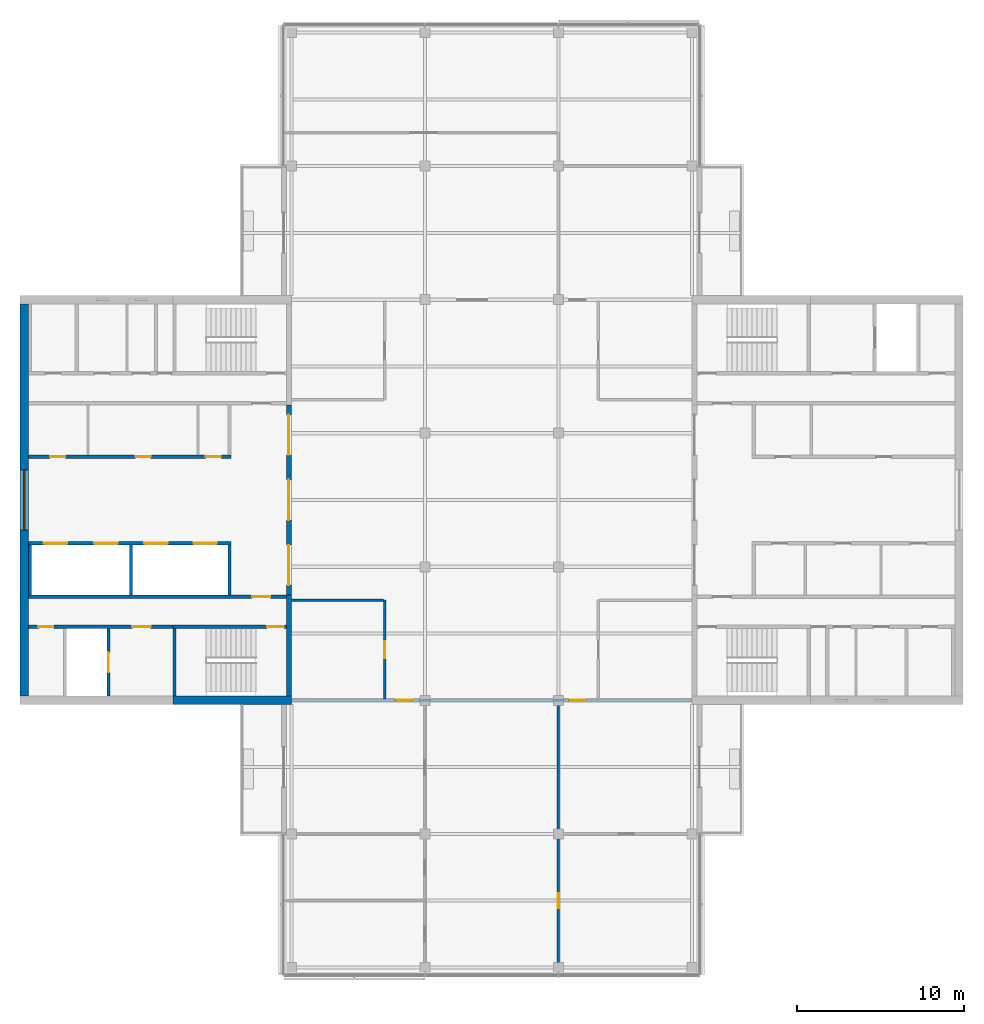
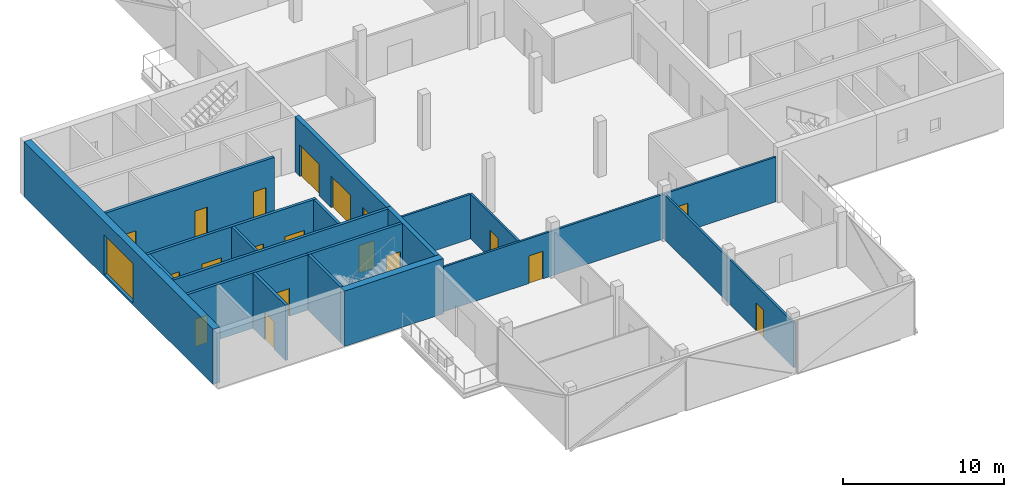
# One storey, part 5 of 11: 19 doors, 18 walls, 1 window, 20 openings.
"""IFC4 building model written with IfcOpenShell, lengths in metres."""

from ifc_helpers import new_model, si_unit, direction, frame, frame_2d, origin, place, context, subcontext, project, spatial, rectangle, extrude, material, layer, layer_set, constituent, constituent_set, type_object, element, fill, save


model = new_model("IFC4")

# Units and contexts
model_context = context("Model", 3, precision=1e-05, world=origin(), true_north=direction((0.0, 1.0)))
body_context = subcontext(model_context, "Body", "Model", "MODEL_VIEW")
ifc_project = project(units=[si_unit("LENGTHUNIT", "METRE"), si_unit("AREAUNIT", "SQUARE_METRE"), si_unit("VOLUMEUNIT", "CUBIC_METRE"), si_unit("PLANEANGLEUNIT", "RADIAN"), si_unit("MASSUNIT", "GRAM", prefix="KILO")], contexts=[model_context])

# Site, building, storey
site_placement = place(None, origin())
site = spatial("IfcSite", under=ifc_project, at=site_placement, CompositionType="ELEMENT")
building_placement = place(site_placement, origin())
building = spatial("IfcBuilding", under=site, at=building_placement, Name="Crosswind Convention Tower", CompositionType="ELEMENT")
storey_placement = place(building_placement, frame((0.0, 0.0, 344.89990234375)))
storey = spatial("IfcBuildingStorey", under=building, at=storey_placement, Name="L75", CompositionType="ELEMENT", Elevation=344.89990234375)

# Wall, openings, doors
ifc_material_1 = material(Name="Concrete C50/60", Category="concrete")
ifc_layer_1 = layer(ifc_material_1, 0.300048828125)
ifc_layer_set_1 = layer_set([ifc_layer_1], Name="Concrete C50/60")
wall_type_1 = type_object("IfcWallType", Name="Concrete inner core wall 300", PredefinedType="SHEAR", material=ifc_layer_set_1)
wall_1_placement = place(storey_placement, frame((112.85009765625, 105.699951171875, 0.0), z_axis=(0.0, 0.0, 1.0), x_axis=(0.0, -1.0, 0.0)))
wall_1 = element("IfcWall", 1, at=wall_1_placement, inside=storey, type_object=wall_type_1, Name="Wall SCR W L75", PredefinedType="SHEAR", context=body_context, shape_type="SweptSolid", body=[
    extrude(rectangle(XDim=11.39990234375, YDim=0.300048828125, at=frame_2d((5.699951171875, 0.0))), origin(), (0.0, 0.0, 1.0), 4.2001953125),
])
opening_1_placement = place(wall_1_placement, frame((0.60009765625, 0.0, 0.0)))
opening_1 = element("IfcOpeningElement", 2, at=opening_1_placement, cuts=wall_1, Name="Opening D100", PredefinedType="OPENING", context=body_context, shape_type="SweptSolid", body=[
    extrude(rectangle(XDim=2.39990234375, YDim=2.39990234375, at=frame_2d((1.199951171875, 1.199951171875))), frame((0.0, 0.159912109375, 0.0), z_axis=(0.0, -1.0, 0.0), x_axis=(1.0, 0.0, 0.0)), (0.0, 0.0, 1.0), 0.320068359375),
])
opening_2_placement = place(wall_1_placement, frame((4.5, 0.0, 0.0)))
opening_2 = element("IfcOpeningElement", 3, at=opening_2_placement, cuts=wall_1, Name="Opening D100", PredefinedType="OPENING", context=body_context, shape_type="SweptSolid", body=[
    extrude(rectangle(XDim=2.39990234375, YDim=2.39990234375, at=frame_2d((1.199951171875, 1.199951171875))), frame((0.0, 0.159912109375, 0.0), z_axis=(0.0, -1.0, 0.0), x_axis=(1.0, 0.0, 0.0)), (0.0, 0.0, 1.0), 0.320068359375),
])
opening_3_placement = place(wall_1_placement, frame((8.39990234375, 0.0, 0.0)))
opening_3 = element("IfcOpeningElement", 4, at=opening_3_placement, cuts=wall_1, Name="Opening D100", PredefinedType="OPENING", context=body_context, shape_type="SweptSolid", body=[
    extrude(rectangle(XDim=2.39990234375, YDim=2.39990234375, at=frame_2d((1.199951171875, 1.199951171875))), frame((0.0, 0.159912109375, 0.0), z_axis=(0.0, -1.0, 0.0), x_axis=(1.0, 0.0, 0.0)), (0.0, 0.0, 1.0), 0.320068359375),
])
ifc_material_2 = material(Name="Steel fire door with glazed vision panels", Category="steel")
door_type_1 = type_object("IfcDoorType", Name="Fire-rated double door 2400x2400", OperationType="DOUBLE_DOOR_SINGLE_SWING", PredefinedType="DOOR", material=ifc_material_2)
door_1_placement = place(opening_1_placement, origin())
door_1 = element("IfcDoor", 5, at=door_1_placement, inside=storey, type_object=door_type_1, Name="Lobby door 1 L75", ObjectType="D100", OperationType="DOUBLE_DOOR_SINGLE_SWING", OverallHeight=2.39990234375, OverallWidth=2.39990234375, PredefinedType="DOOR", context=body_context, shape_type="SweptSolid", body=[
    extrude(rectangle(XDim=2.39990234375, YDim=2.39990234375, at=frame_2d((1.199951171875, 1.199951171875))), frame((0.0, 0.02490234375, 0.0), z_axis=(0.0, -1.0, 0.0), x_axis=(1.0, 0.0, 0.0)), (0.0, 0.0, 1.0), 0.050048828125),
])
fill(opening_1, door_1)
door_2_placement = place(opening_2_placement, origin())
door_2 = element("IfcDoor", 6, at=door_2_placement, inside=storey, type_object=door_type_1, Name="Lobby door 2 L75", ObjectType="D100", OperationType="DOUBLE_DOOR_SINGLE_SWING", OverallHeight=2.39990234375, OverallWidth=2.39990234375, PredefinedType="DOOR", context=body_context, shape_type="SweptSolid", body=[
    extrude(rectangle(XDim=2.39990234375, YDim=2.39990234375, at=frame_2d((1.199951171875, 1.199951171875))), frame((0.0, 0.02490234375, 0.0), z_axis=(0.0, -1.0, 0.0), x_axis=(1.0, 0.0, 0.0)), (0.0, 0.0, 1.0), 0.050048828125),
])
fill(opening_2, door_2)
door_3_placement = place(opening_3_placement, origin())
door_3 = element("IfcDoor", 7, at=door_3_placement, inside=storey, type_object=door_type_1, Name="Lobby door 3 L75", ObjectType="D100", OperationType="DOUBLE_DOOR_SINGLE_SWING", OverallHeight=2.39990234375, OverallWidth=2.39990234375, PredefinedType="DOOR", context=body_context, shape_type="SweptSolid", body=[
    extrude(rectangle(XDim=2.39990234375, YDim=2.39990234375, at=frame_2d((1.199951171875, 1.199951171875))), frame((0.0, 0.02490234375, 0.0), z_axis=(0.0, -1.0, 0.0), x_axis=(1.0, 0.0, 0.0)), (0.0, 0.0, 1.0), 0.050048828125),
])
fill(opening_3, door_3)

# Walls
wall_2_placement = place(storey_placement, frame((112.85009765625, 94.300048828125, 0.0), z_axis=(0.0, 0.0, 1.0), x_axis=(0.0, -1.0, 0.0)))
element("IfcWall", 8, at=wall_2_placement, inside=storey, type_object=wall_type_1, Name="Wall EP W L75", PredefinedType="SHEAR", context=body_context, shape_type="SweptSolid", body=[
    extrude(rectangle(XDim=6.050048828125, YDim=0.300048828125, at=frame_2d((3.02490234375, 0.0))), origin(), (0.0, 0.0, 1.0), 4.2001953125),
])
ifc_layer_2 = layer(ifc_material_1, 0.199951171875)
ifc_layer_set_2 = layer_set([ifc_layer_2], Name="Concrete C50/60")
wall_type_2 = type_object("IfcWallType", Name="Concrete shaft and stair wall 200", PredefinedType="SHEAR", material=ifc_layer_set_2)
for number, where, z_axis, x_axis, name in (
    (9, (109.300048828125, 97.300048828125, 0.0), (0.0, 0.0, 1.0), (0.0, -1.0, 0.0), "Wall RPEND W L75"),
    (10, (103.39990234375, 97.300048828125, 0.0), (0.0, 0.0, 1.0), (0.0, -1.0, 0.0), "Wall RPSEP W L75"),
    (11, (97.35009765625, 97.300048828125, 0.0), (0.0, 0.0, 1.0), (0.0, -1.0, 0.0), "Wall RPEAST W L75"),
):
    element("IfcWall", number, at=place(storey_placement, frame(where, z_axis=z_axis, x_axis=x_axis)), inside=storey, type_object=wall_type_2, Name=name, PredefinedType="SHEAR", context=body_context, shape_type="SweptSolid", body=[
        extrude(rectangle(XDim=3.0, YDim=0.199951171875, at=frame_2d((1.5, 0.0))), origin(), (0.0, 0.0, 1.0), 4.2001953125),
    ])

# Wall, openings, doors
wall_3_placement = place(storey_placement, frame((109.39990234375, 97.39990234375, 0.0), z_axis=(0.0, 0.0, 1.0), x_axis=(-1.0, 0.0, 0.0)))
wall_3 = element("IfcWall", 12, at=wall_3_placement, inside=storey, type_object=wall_type_2, Name="Wall RPFRONT W L75", PredefinedType="SHEAR", context=body_context, shape_type="SweptSolid", body=[
    extrude(rectangle(XDim=12.14990234375, YDim=0.199951171875, at=frame_2d((6.074951171875, 0.0))), origin(), (0.0, 0.0, 1.0), 4.2001953125),
])
opening_4_placement = place(wall_3_placement, frame((0.85009765625, 0.0, 0.0)))
opening_4 = element("IfcOpeningElement", 13, at=opening_4_placement, cuts=wall_3, Name="Opening LD2", PredefinedType="OPENING", context=body_context, shape_type="SweptSolid", body=[
    extrude(rectangle(XDim=1.39990234375, YDim=2.10009765625, at=frame_2d((0.699951171875, 1.050048828125))), frame((0.0, 0.10986328125, 0.0), z_axis=(0.0, -1.0, 0.0), x_axis=(1.0, 0.0, 0.0)), (0.0, 0.0, 1.0), 0.219970703125),
])
opening_5_placement = place(wall_3_placement, frame((3.800048828125, 0.0, 0.0)))
opening_5 = element("IfcOpeningElement", 14, at=opening_5_placement, cuts=wall_3, Name="Opening LD2", PredefinedType="OPENING", context=body_context, shape_type="SweptSolid", body=[
    extrude(rectangle(XDim=1.39990234375, YDim=2.10009765625, at=frame_2d((0.699951171875, 1.050048828125))), frame((0.0, 0.10986328125, 0.0), z_axis=(0.0, -1.0, 0.0), x_axis=(1.0, 0.0, 0.0)), (0.0, 0.0, 1.0), 0.219970703125),
])
opening_6_placement = place(wall_3_placement, frame((6.800048828125, 0.0, 0.0)))
opening_6 = element("IfcOpeningElement", 15, at=opening_6_placement, cuts=wall_3, Name="Opening LD2", PredefinedType="OPENING", context=body_context, shape_type="SweptSolid", body=[
    extrude(rectangle(XDim=1.39990234375, YDim=2.10009765625, at=frame_2d((0.699951171875, 1.050048828125))), frame((0.0, 0.10986328125, 0.0), z_axis=(0.0, -1.0, 0.0), x_axis=(1.0, 0.0, 0.0)), (0.0, 0.0, 1.0), 0.219970703125),
])
opening_7_placement = place(wall_3_placement, frame((9.824951171875, 0.0, 0.0)))
opening_7 = element("IfcOpeningElement", 16, at=opening_7_placement, cuts=wall_3, Name="Opening LD2", PredefinedType="OPENING", context=body_context, shape_type="SweptSolid", body=[
    extrude(rectangle(XDim=1.39990234375, YDim=2.10009765625, at=frame_2d((0.699951171875, 1.050048828125))), frame((0.0, 0.10986328125, 0.0), z_axis=(0.0, -1.0, 0.0), x_axis=(1.0, 0.0, 0.0)), (0.0, 0.0, 1.0), 0.219970703125),
])
ifc_material_3 = material(Name="Stainless steel", Category="steel")
door_type_2 = type_object("IfcDoorType", Name="Lift landing door 1400x2100", OperationType="DOUBLE_DOOR_SLIDING", PredefinedType="DOOR", material=ifc_material_3)
door_4_placement = place(opening_4_placement, origin())
door_4 = element("IfcDoor", 17, at=door_4_placement, inside=storey, type_object=door_type_2, Name="Landing door HR1 L75", ObjectType="LD2", OperationType="DOUBLE_DOOR_SLIDING", OverallHeight=2.10009765625, OverallWidth=1.39990234375, PredefinedType="DOOR", context=body_context, shape_type="SweptSolid", body=[
    extrude(rectangle(XDim=1.39990234375, YDim=2.10009765625, at=frame_2d((0.699951171875, 1.050048828125))), frame((0.0, 0.02490234375, 0.0), z_axis=(0.0, -1.0, 0.0), x_axis=(1.0, 0.0, 0.0)), (0.0, 0.0, 1.0), 0.050048828125),
])
fill(opening_4, door_4)
door_5_placement = place(opening_5_placement, origin())
door_5 = element("IfcDoor", 18, at=door_5_placement, inside=storey, type_object=door_type_2, Name="Landing door HR2 L75", ObjectType="LD2", OperationType="DOUBLE_DOOR_SLIDING", OverallHeight=2.10009765625, OverallWidth=1.39990234375, PredefinedType="DOOR", context=body_context, shape_type="SweptSolid", body=[
    extrude(rectangle(XDim=1.39990234375, YDim=2.10009765625, at=frame_2d((0.699951171875, 1.050048828125))), frame((0.0, 0.02490234375, 0.0), z_axis=(0.0, -1.0, 0.0), x_axis=(1.0, 0.0, 0.0)), (0.0, 0.0, 1.0), 0.050048828125),
])
fill(opening_5, door_5)
door_6_placement = place(opening_6_placement, origin())
door_6 = element("IfcDoor", 19, at=door_6_placement, inside=storey, type_object=door_type_2, Name="Landing door HR3 L75", ObjectType="LD2", OperationType="DOUBLE_DOOR_SLIDING", OverallHeight=2.10009765625, OverallWidth=1.39990234375, PredefinedType="DOOR", context=body_context, shape_type="SweptSolid", body=[
    extrude(rectangle(XDim=1.39990234375, YDim=2.10009765625, at=frame_2d((0.699951171875, 1.050048828125))), frame((0.0, 0.02490234375, 0.0), z_axis=(0.0, -1.0, 0.0), x_axis=(1.0, 0.0, 0.0)), (0.0, 0.0, 1.0), 0.050048828125),
])
fill(opening_6, door_6)
door_7_placement = place(opening_7_placement, origin())
door_7 = element("IfcDoor", 20, at=door_7_placement, inside=storey, type_object=door_type_2, Name="Landing door HR4 L75", ObjectType="LD2", OperationType="DOUBLE_DOOR_SLIDING", OverallHeight=2.10009765625, OverallWidth=1.39990234375, PredefinedType="DOOR", context=body_context, shape_type="SweptSolid", body=[
    extrude(rectangle(XDim=1.39990234375, YDim=2.10009765625, at=frame_2d((0.699951171875, 1.050048828125))), frame((0.0, 0.02490234375, 0.0), z_axis=(0.0, -1.0, 0.0), x_axis=(1.0, 0.0, 0.0)), (0.0, 0.0, 1.0), 0.050048828125),
])
fill(opening_7, door_7)

wall_4_placement = place(storey_placement, frame((109.39990234375, 102.60009765625, 0.0), z_axis=(0.0, 0.0, 1.0), x_axis=(-1.0, 0.0, 0.0)))
wall_4 = element("IfcWall", 21, at=wall_4_placement, inside=storey, type_object=wall_type_2, Name="Wall RMFRONT W L75", PredefinedType="SHEAR", context=body_context, shape_type="SweptSolid", body=[
    extrude(rectangle(XDim=12.14990234375, YDim=0.199951171875, at=frame_2d((6.074951171875, 0.0))), origin(), (0.0, 0.0, 1.0), 4.2001953125),
])
opening_8_placement = place(wall_4_placement, frame((0.614990234375, 0.0, 0.0)))
opening_8 = element("IfcOpeningElement", 22, at=opening_8_placement, cuts=wall_4, Name="Opening D106", PredefinedType="OPENING", context=body_context, shape_type="SweptSolid", body=[
    extrude(rectangle(XDim=0.89990234375, YDim=2.10009765625, at=frame_2d((0.449951171875, 1.050048828125))), frame((0.0, 0.10986328125, 0.0), z_axis=(0.0, -1.0, 0.0), x_axis=(1.0, 0.0, 0.0)), (0.0, 0.0, 1.0), 0.219970703125),
])
opening_9_placement = place(wall_4_placement, frame((4.828857421875, 0.0, 0.0)))
opening_9 = element("IfcOpeningElement", 23, at=opening_9_placement, cuts=wall_4, Name="Opening D106", PredefinedType="OPENING", context=body_context, shape_type="SweptSolid", body=[
    extrude(rectangle(XDim=0.89990234375, YDim=2.10009765625, at=frame_2d((0.449951171875, 1.050048828125))), frame((0.0, 0.10986328125, 0.0), z_axis=(0.0, -1.0, 0.0), x_axis=(1.0, 0.0, 0.0)), (0.0, 0.0, 1.0), 0.219970703125),
])
opening_10_placement = place(wall_4_placement, frame((9.938720703125, 0.0, 0.0)))
opening_10 = element("IfcOpeningElement", 24, at=opening_10_placement, cuts=wall_4, Name="Opening D106", PredefinedType="OPENING", context=body_context, shape_type="SweptSolid", body=[
    extrude(rectangle(XDim=0.89990234375, YDim=2.10009765625, at=frame_2d((0.449951171875, 1.050048828125))), frame((0.0, 0.10986328125, 0.0), z_axis=(0.0, -1.0, 0.0), x_axis=(1.0, 0.0, 0.0)), (0.0, 0.0, 1.0), 0.219970703125),
])
ifc_material_4 = material(Name="Timber door", Category="wood")
door_type_3 = type_object("IfcDoorType", Name="Single leaf door 900x2100", OperationType="NOTDEFINED", PredefinedType="DOOR", material=ifc_material_4)
door_8_placement = place(opening_8_placement, frame((0.89990234375, 0.0, 0.0), z_axis=(0.0, 0.0, 1.0), x_axis=(-1.0, 0.0, 0.0)))
door_8 = element("IfcDoor", 25, at=door_8_placement, inside=storey, type_object=door_type_3, Name="Door to storeroom L75", ObjectType="D106", OperationType="SINGLE_SWING_LEFT", OverallHeight=2.10009765625, OverallWidth=0.89990234375, PredefinedType="DOOR", context=body_context, shape_type="SweptSolid", body=[
    extrude(rectangle(XDim=0.89990234375, YDim=2.10009765625, at=frame_2d((0.449951171875, 1.050048828125))), frame((0.0, 0.02490234375, 0.0), z_axis=(0.0, -1.0, 0.0), x_axis=(1.0, 0.0, 0.0)), (0.0, 0.0, 1.0), 0.050048828125),
])
fill(opening_8, door_8)
door_9_placement = place(opening_9_placement, frame((0.89990234375, 0.0, 0.0), z_axis=(0.0, 0.0, 1.0), x_axis=(-1.0, 0.0, 0.0)))
door_9 = element("IfcDoor", 26, at=door_9_placement, inside=storey, type_object=door_type_3, Name="Door to catering store L75", ObjectType="D106", OperationType="SINGLE_SWING_LEFT", OverallHeight=2.10009765625, OverallWidth=0.89990234375, PredefinedType="DOOR", context=body_context, shape_type="SweptSolid", body=[
    extrude(rectangle(XDim=0.89990234375, YDim=2.10009765625, at=frame_2d((0.449951171875, 1.050048828125))), frame((0.0, 0.02490234375, 0.0), z_axis=(0.0, -1.0, 0.0), x_axis=(1.0, 0.0, 0.0)), (0.0, 0.0, 1.0), 0.050048828125),
])
fill(opening_9, door_9)
door_10_placement = place(opening_10_placement, frame((0.89990234375, 0.0, 0.0), z_axis=(0.0, 0.0, 1.0), x_axis=(-1.0, 0.0, 0.0)))
door_10 = element("IfcDoor", 27, at=door_10_placement, inside=storey, type_object=door_type_3, Name="Door to meeting room L75", ObjectType="D106", OperationType="SINGLE_SWING_LEFT", OverallHeight=2.10009765625, OverallWidth=0.89990234375, PredefinedType="DOOR", context=body_context, shape_type="SweptSolid", body=[
    extrude(rectangle(XDim=0.89990234375, YDim=2.10009765625, at=frame_2d((0.449951171875, 1.050048828125))), frame((0.0, 0.02490234375, 0.0), z_axis=(0.0, -1.0, 0.0), x_axis=(1.0, 0.0, 0.0)), (0.0, 0.0, 1.0), 0.050048828125),
])
fill(opening_10, door_10)

# Wall, opening, door
wall_5_placement = place(storey_placement, frame((112.699951171875, 94.199951171875, 0.0), z_axis=(0.0, 0.0, 1.0), x_axis=(-1.0, 0.0, 0.0)))
wall_5 = element("IfcWall", 28, at=wall_5_placement, inside=storey, type_object=wall_type_2, Name="Wall HP W L75", PredefinedType="SHEAR", context=body_context, shape_type="SweptSolid", body=[
    extrude(rectangle(XDim=15.449951171875, YDim=0.199951171875, at=frame_2d((7.72509765625, 0.0))), origin(), (0.0, 0.0, 1.0), 4.2001953125),
])
opening_11_placement = place(wall_5_placement, frame((0.949951171875, 0.0, 0.0)))
opening_11 = element("IfcOpeningElement", 29, at=opening_11_placement, cuts=wall_5, Name="Opening D104", PredefinedType="OPENING", context=body_context, shape_type="SweptSolid", body=[
    extrude(rectangle(XDim=1.10009765625, YDim=2.10009765625, at=frame_2d((0.550048828125, 1.050048828125))), frame((0.0, 0.10986328125, 0.0), z_axis=(0.0, -1.0, 0.0), x_axis=(1.0, 0.0, 0.0)), (0.0, 0.0, 1.0), 0.219970703125),
])
ifc_material_5 = material(Name="Steel fire door", Category="steel")
door_type_4 = type_object("IfcDoorType", Name="Fire-rated single door 1100x2100", OperationType="NOTDEFINED", PredefinedType="DOOR", material=ifc_material_5)
door_11_placement = place(opening_11_placement, origin())
door_11 = element("IfcDoor", 30, at=door_11_placement, inside=storey, type_object=door_type_4, Name="Corridor door L75", ObjectType="D104", OperationType="SINGLE_SWING_LEFT", OverallHeight=2.10009765625, OverallWidth=1.10009765625, PredefinedType="DOOR", context=body_context, shape_type="SweptSolid", body=[
    extrude(rectangle(XDim=1.10009765625, YDim=2.10009765625, at=frame_2d((0.550048828125, 1.050048828125))), frame((0.0, 0.02490234375, 0.0), z_axis=(0.0, -1.0, 0.0), x_axis=(1.0, 0.0, 0.0)), (0.0, 0.0, 1.0), 0.050048828125),
])
fill(opening_11, door_11)

# Wall
wall_6_placement = place(storey_placement, frame((106.0, 92.300048828125, 0.0), z_axis=(0.0, 0.0, 1.0), x_axis=(0.0, -1.0, 0.0)))
element("IfcWall", 31, at=wall_6_placement, inside=storey, type_object=wall_type_2, Name="Wall PSE W L75", PredefinedType="SHEAR", context=body_context, shape_type="SweptSolid", body=[
    extrude(rectangle(XDim=4.050048828125, YDim=0.199951171875, at=frame_2d((2.02490234375, 0.0))), origin(), (0.0, 0.0, 1.0), 4.2001953125),
])

# Wall, opening, door
wall_7_placement = place(storey_placement, frame((102.050048828125, 92.300048828125, 0.0), z_axis=(0.0, 0.0, 1.0), x_axis=(0.0, -1.0, 0.0)))
wall_7 = element("IfcWall", 32, at=wall_7_placement, inside=storey, type_object=wall_type_2, Name="Wall PFLW W L75", PredefinedType="SHEAR", context=body_context, shape_type="SweptSolid", body=[
    extrude(rectangle(XDim=4.050048828125, YDim=0.199951171875, at=frame_2d((2.02490234375, 0.0))), origin(), (0.0, 0.0, 1.0), 4.2001953125),
])
opening_12_placement = place(wall_7_placement, frame((1.425048828125, 0.0, 0.0)))
opening_12 = element("IfcOpeningElement", 33, at=opening_12_placement, cuts=wall_7, Name="Opening LD1", PredefinedType="OPENING", context=body_context, shape_type="SweptSolid", body=[
    extrude(rectangle(XDim=1.199951171875, YDim=2.10009765625, at=frame_2d((0.60009765625, 1.050048828125))), frame((0.0, 0.10986328125, 0.0), z_axis=(0.0, -1.0, 0.0), x_axis=(1.0, 0.0, 0.0)), (0.0, 0.0, 1.0), 0.219970703125),
])
door_type_5 = type_object("IfcDoorType", Name="Lift landing door 1200x2100", OperationType="DOUBLE_DOOR_SLIDING", PredefinedType="DOOR", material=ifc_material_3)
door_12_placement = place(opening_12_placement, origin())
door_12 = element("IfcDoor", 34, at=door_12_placement, inside=storey, type_object=door_type_5, Name="Landing door FF2 L75", ObjectType="LD1", OperationType="DOUBLE_DOOR_SLIDING", OverallHeight=2.10009765625, OverallWidth=1.199951171875, PredefinedType="DOOR", context=body_context, shape_type="SweptSolid", body=[
    extrude(rectangle(XDim=1.199951171875, YDim=2.10009765625, at=frame_2d((0.60009765625, 1.050048828125))), frame((0.0, 0.02490234375, 0.0), z_axis=(0.0, -1.0, 0.0), x_axis=(1.0, 0.0, 0.0)), (0.0, 0.0, 1.0), 0.050048828125),
])
fill(opening_12, door_12)

wall_8_placement = place(storey_placement, frame((112.699951171875, 92.39990234375, 0.0), z_axis=(0.0, 0.0, 1.0), x_axis=(-1.0, 0.0, 0.0)))
wall_8 = element("IfcWall", 35, at=wall_8_placement, inside=storey, type_object=wall_type_2, Name="Wall PCW W L75", PredefinedType="SHEAR", context=body_context, shape_type="SweptSolid", body=[
    extrude(rectangle(XDim=6.800048828125, YDim=0.199951171875, at=frame_2d((3.39990234375, 0.0))), origin(), (0.0, 0.0, 1.0), 4.2001953125),
])
opening_13_placement = place(wall_8_placement, frame((0.14990234375, 0.0, 0.0)))
opening_13 = element("IfcOpeningElement", 36, at=opening_13_placement, cuts=wall_8, Name="Opening D103", PredefinedType="OPENING", context=body_context, shape_type="SweptSolid", body=[
    extrude(rectangle(XDim=1.0, YDim=2.10009765625, at=frame_2d((0.5, 1.050048828125))), frame((0.0, 0.10986328125, 0.0), z_axis=(0.0, -1.0, 0.0), x_axis=(1.0, 0.0, 0.0)), (0.0, 0.0, 1.0), 0.219970703125),
])
door_type_6 = type_object("IfcDoorType", Name="Fire-rated single door 1000x2100", OperationType="NOTDEFINED", PredefinedType="DOOR", material=ifc_material_5)
door_13_placement = place(opening_13_placement, origin())
door_13 = element("IfcDoor", 37, at=door_13_placement, inside=storey, type_object=door_type_6, Name="Stair ST3 door L75", ObjectType="D103", OperationType="SINGLE_SWING_LEFT", OverallHeight=2.10009765625, OverallWidth=1.0, PredefinedType="DOOR", context=body_context, shape_type="SweptSolid", body=[
    extrude(rectangle(XDim=1.0, YDim=2.10009765625, at=frame_2d((0.5, 1.050048828125))), frame((0.0, 0.02490234375, 0.0), z_axis=(0.0, -1.0, 0.0), x_axis=(1.0, 0.0, 0.0)), (0.0, 0.0, 1.0), 0.050048828125),
])
fill(opening_13, door_13)

# Wall, openings, doors
wall_9_placement = place(storey_placement, frame((105.89990234375, 92.39990234375, 0.0), z_axis=(0.0, 0.0, 1.0), x_axis=(-1.0, 0.0, 0.0)))
wall_9 = element("IfcWall", 38, at=wall_9_placement, inside=storey, type_object=wall_type_2, Name="Wall PCX W L75", PredefinedType="SHEAR", context=body_context, shape_type="SweptSolid", body=[
    extrude(rectangle(XDim=8.64990234375, YDim=0.199951171875, at=frame_2d((4.324951171875, 0.0))), origin(), (0.0, 0.0, 1.0), 4.2001953125),
])
opening_14_placement = place(wall_9_placement, frame((1.324951171875, 0.0, 0.0)))
opening_14 = element("IfcOpeningElement", 39, at=opening_14_placement, cuts=wall_9, Name="Opening D104", PredefinedType="OPENING", context=body_context, shape_type="SweptSolid", body=[
    extrude(rectangle(XDim=1.10009765625, YDim=2.10009765625, at=frame_2d((0.550048828125, 1.050048828125))), frame((0.0, 0.10986328125, 0.0), z_axis=(0.0, -1.0, 0.0), x_axis=(1.0, 0.0, 0.0)), (0.0, 0.0, 1.0), 0.219970703125),
])
opening_15_placement = place(wall_9_placement, frame((7.14990234375, 0.0, 0.0)))
opening_15 = element("IfcOpeningElement", 40, at=opening_15_placement, cuts=wall_9, Name="Opening D106", PredefinedType="OPENING", context=body_context, shape_type="SweptSolid", body=[
    extrude(rectangle(XDim=0.89990234375, YDim=2.10009765625, at=frame_2d((0.449951171875, 1.050048828125))), frame((0.0, 0.10986328125, 0.0), z_axis=(0.0, -1.0, 0.0), x_axis=(1.0, 0.0, 0.0)), (0.0, 0.0, 1.0), 0.219970703125),
])
door_14_placement = place(opening_14_placement, origin())
door_14 = element("IfcDoor", 41, at=door_14_placement, inside=storey, type_object=door_type_4, Name="Fire-fighting lobby FF2 door L75", ObjectType="D104", OperationType="SINGLE_SWING_RIGHT", OverallHeight=2.10009765625, OverallWidth=1.10009765625, PredefinedType="DOOR", context=body_context, shape_type="SweptSolid", body=[
    extrude(rectangle(XDim=1.10009765625, YDim=2.10009765625, at=frame_2d((0.550048828125, 1.050048828125))), frame((0.0, 0.02490234375, 0.0), z_axis=(0.0, -1.0, 0.0), x_axis=(1.0, 0.0, 0.0)), (0.0, 0.0, 1.0), 0.050048828125),
])
fill(opening_14, door_14)
door_15_placement = place(opening_15_placement, origin())
door_15 = element("IfcDoor", 42, at=door_15_placement, inside=storey, type_object=door_type_3, Name="Door to comms room L75", ObjectType="D106", OperationType="SINGLE_SWING_RIGHT", OverallHeight=2.10009765625, OverallWidth=0.89990234375, PredefinedType="DOOR", context=body_context, shape_type="SweptSolid", body=[
    extrude(rectangle(XDim=0.89990234375, YDim=2.10009765625, at=frame_2d((0.449951171875, 1.050048828125))), frame((0.0, 0.02490234375, 0.0), z_axis=(0.0, -1.0, 0.0), x_axis=(1.0, 0.0, 0.0)), (0.0, 0.0, 1.0), 0.050048828125),
])
fill(opening_15, door_15)

# Wall, opening, door
ifc_material_6 = material(Name="Fire-board partition with mineral wool", Category="gypsum")
ifc_layer_3 = layer(ifc_material_6, 0.14990234375)
ifc_layer_set_3 = layer_set([ifc_layer_3], Name="TENANCY WALL 150 TWO-HOUR BOARD")
wall_type_3 = type_object("IfcWallType", Name="TENANCY WALL 150 TWO-HOUR BOARD", PredefinedType="PARTITIONING", material=ifc_layer_set_3)
wall_10_placement = place(storey_placement, frame((118.60009765625, 88.074951171875, 0.0), z_axis=(0.0, 0.0, 1.0), x_axis=(0.0, 1.0, 0.0)))
wall_10 = element("IfcWall", 43, at=wall_10_placement, inside=storey, type_object=wall_type_3, Name="Tenancy wall WT41", PredefinedType="PARTITIONING", context=body_context, shape_type="SweptSolid", body=[
    extrude(rectangle(XDim=5.925048828125, YDim=0.14990234375, at=frame_2d((2.96240234375, 0.0))), origin(), (0.0, 0.0, 1.0), 3.396484375),
])
opening_16_placement = place(wall_10_placement, frame((2.449951171875, 0.0, 0.0)))
opening_16 = element("IfcOpeningElement", 44, at=opening_16_placement, cuts=wall_10, Name="Opening L75-61", PredefinedType="OPENING", context=body_context, shape_type="SweptSolid", body=[
    extrude(rectangle(XDim=1.0, YDim=2.10009765625, at=frame_2d((0.5, 1.050048828125))), frame((0.0, 0.0849609375, 0.0), z_axis=(0.0, -1.0, 0.0), x_axis=(1.0, 0.0, 0.0)), (0.0, 0.0, 1.0), 0.169921875),
])
ifc_material_7 = material(Name="Timber fire door", Category="wood")
door_type_7 = type_object("IfcDoorType", Name="TENANCY ENTRANCE DOOR 1000X2100 FD30S", OperationType="NOTDEFINED", PredefinedType="DOOR", material=ifc_material_7)
door_16_placement = place(opening_16_placement, origin())
door_16 = element("IfcDoor", 45, at=door_16_placement, inside=storey, type_object=door_type_7, Name="Door L75-61", ObjectType="D41", OperationType="SINGLE_SWING_RIGHT", OverallHeight=2.10009765625, OverallWidth=1.0, PredefinedType="DOOR", context=body_context, shape_type="SweptSolid", body=[
    extrude(rectangle(XDim=1.0, YDim=2.10009765625, at=frame_2d((0.5, 1.050048828125))), frame((0.0, 0.02490234375, 0.0), z_axis=(0.0, -1.0, 0.0), x_axis=(1.0, 0.0, 0.0)), (0.0, 0.0, 1.0), 0.050048828125),
])
fill(opening_16, door_16)

wall_11_placement = place(storey_placement, frame((129.0, 71.780029296875, 0.0), z_axis=(0.0, 0.0, 1.0), x_axis=(0.0, 1.0, 0.0)))
wall_11 = element("IfcWall", 46, at=wall_11_placement, inside=storey, type_object=wall_type_3, Name="Tenancy wall WT41", PredefinedType="PARTITIONING", context=body_context, shape_type="SweptSolid", body=[
    extrude(rectangle(XDim=16.14501953125, YDim=0.14990234375, at=frame_2d((8.072509765625, 0.0))), origin(), (0.0, 0.0, 1.0), 3.396484375),
])
opening_17_placement = place(wall_11_placement, frame((3.77001953125, 0.0, 0.0)))
opening_17 = element("IfcOpeningElement", 47, at=opening_17_placement, cuts=wall_11, Name="Opening L75-58", PredefinedType="OPENING", context=body_context, shape_type="SweptSolid", body=[
    extrude(rectangle(XDim=0.89990234375, YDim=2.10009765625, at=frame_2d((0.449951171875, 1.050048828125))), frame((0.0, 0.0849609375, 0.0), z_axis=(0.0, -1.0, 0.0), x_axis=(1.0, 0.0, 0.0)), (0.0, 0.0, 1.0), 0.169921875),
])
door_type_8 = type_object("IfcDoorType", Name="INTERNAL DOOR 900X2100", OperationType="NOTDEFINED", PredefinedType="DOOR", material=ifc_material_4)
door_17_placement = place(opening_17_placement, frame((0.89990234375, 0.0, 0.0), z_axis=(0.0, 0.0, 1.0), x_axis=(-1.0, 0.0, 0.0)))
door_17 = element("IfcDoor", 48, at=door_17_placement, inside=storey, type_object=door_type_8, Name="Door L75-58", ObjectType="D40", OperationType="SINGLE_SWING_LEFT", OverallHeight=2.10009765625, OverallWidth=0.89990234375, PredefinedType="DOOR", context=body_context, shape_type="SweptSolid", body=[
    extrude(rectangle(XDim=0.89990234375, YDim=2.10009765625, at=frame_2d((0.449951171875, 1.050048828125))), frame((0.0, 0.02490234375, 0.0), z_axis=(0.0, -1.0, 0.0), x_axis=(1.0, 0.0, 0.0)), (0.0, 0.0, 1.0), 0.050048828125),
])
fill(opening_17, door_17)

# Wall, openings, doors
wall_12_placement = place(storey_placement, frame((113.0, 88.0, 0.0), z_axis=(0.0, 0.0, 1.0), x_axis=(1.0, 0.0, 0.0)))
wall_12 = element("IfcWall", 49, at=wall_12_placement, inside=storey, type_object=wall_type_3, Name="Tenancy wall WT41", PredefinedType="PARTITIONING", context=body_context, shape_type="SweptSolid", body=[
    extrude(rectangle(XDim=24.0, YDim=0.14990234375, at=frame_2d((12.0, 0.0))), origin(), (0.0, 0.0, 1.0), 3.396484375),
])
opening_18_placement = place(wall_12_placement, frame((6.25, 0.0, 0.0)))
opening_18 = element("IfcOpeningElement", 50, at=opening_18_placement, cuts=wall_12, Name="Opening L75-53", PredefinedType="OPENING", context=body_context, shape_type="SweptSolid", body=[
    extrude(rectangle(XDim=1.0, YDim=2.10009765625, at=frame_2d((0.5, 1.050048828125))), frame((0.0, 0.0849609375, 0.0), z_axis=(0.0, -1.0, 0.0), x_axis=(1.0, 0.0, 0.0)), (0.0, 0.0, 1.0), 0.169921875),
])
opening_19_placement = place(wall_12_placement, frame((16.64990234375, 0.0, 0.0)))
opening_19 = element("IfcOpeningElement", 51, at=opening_19_placement, cuts=wall_12, Name="Opening L75-57", PredefinedType="OPENING", context=body_context, shape_type="SweptSolid", body=[
    extrude(rectangle(XDim=1.0, YDim=2.10009765625, at=frame_2d((0.5, 1.050048828125))), frame((0.0, 0.0849609375, 0.0), z_axis=(0.0, -1.0, 0.0), x_axis=(1.0, 0.0, 0.0)), (0.0, 0.0, 1.0), 0.169921875),
])
door_18_placement = place(opening_18_placement, origin())
door_18 = element("IfcDoor", 52, at=door_18_placement, inside=storey, type_object=door_type_7, Name="Door L75-53", ObjectType="D41", OperationType="SINGLE_SWING_RIGHT", OverallHeight=2.10009765625, OverallWidth=1.0, PredefinedType="DOOR", context=body_context, shape_type="SweptSolid", body=[
    extrude(rectangle(XDim=1.0, YDim=2.10009765625, at=frame_2d((0.5, 1.050048828125))), frame((0.0, 0.02490234375, 0.0), z_axis=(0.0, -1.0, 0.0), x_axis=(1.0, 0.0, 0.0)), (0.0, 0.0, 1.0), 0.050048828125),
])
fill(opening_18, door_18)
door_19_placement = place(opening_19_placement, origin())
door_19 = element("IfcDoor", 53, at=door_19_placement, inside=storey, type_object=door_type_7, Name="Door L75-57", ObjectType="D41", OperationType="SINGLE_SWING_LEFT", OverallHeight=2.10009765625, OverallWidth=1.0, PredefinedType="DOOR", context=body_context, shape_type="SweptSolid", body=[
    extrude(rectangle(XDim=1.0, YDim=2.10009765625, at=frame_2d((0.5, 1.050048828125))), frame((0.0, 0.02490234375, 0.0), z_axis=(0.0, -1.0, 0.0), x_axis=(1.0, 0.0, 0.0)), (0.0, 0.0, 1.0), 0.050048828125),
])
fill(opening_19, door_19)

# Walls
wall_13_placement = place(storey_placement, frame((113.0, 94.0, 0.0), z_axis=(0.0, 0.0, 1.0), x_axis=(1.0, 0.0, 0.0)))
element("IfcWall", 54, at=wall_13_placement, inside=storey, type_object=wall_type_3, Name="Tenancy wall WT41", PredefinedType="PARTITIONING", context=body_context, shape_type="SweptSolid", body=[
    extrude(rectangle(XDim=5.52490234375, YDim=0.14990234375, at=frame_2d((2.762451171875, 0.0))), origin(), (0.0, 0.0, 1.0), 3.396484375),
])
ifc_material_8 = material(Name="Concrete C60/75", Category="concrete")
ifc_constituent_1 = constituent(ifc_material_8, Name="Structure")
ifc_material_9 = material(Name="Terracotta rainscreen", Category="ceramic")
ifc_constituent_2 = constituent(ifc_material_9, Name="Facing")
ifc_constituent_set = constituent_set(constituents=[ifc_constituent_1, ifc_constituent_2], Name="Concrete C60/75, Terracotta rainscreen")
wall_type_4 = type_object("IfcWallType", Name="Terracotta rainscreen on concrete core wall 500", PredefinedType="SHEAR", material=ifc_constituent_set)
wall_14_placement = place(storey_placement, frame((113.0, 88.0, 0.0), z_axis=(0.0, 0.0, 1.0), x_axis=(-1.0, 0.0, 0.0)))
element("IfcWall", 55, at=wall_14_placement, inside=storey, type_object=wall_type_4, Name="Wall N1 W L75", PredefinedType="SHEAR", context=body_context, shape_type="SweptSolid", body=[
    extrude(rectangle(XDim=7.10009765625, YDim=0.5, at=frame_2d((3.550048828125, 0.0))), origin(), (0.0, 0.0, 1.0), 4.2001953125),
])

# Wall, opening, window
wall_15_placement = place(storey_placement, frame((97.0, 111.75, 0.0), z_axis=(0.0, 0.0, 1.0), x_axis=(0.0, -1.0, 0.0)))
wall_15 = element("IfcWall", 56, at=wall_15_placement, inside=storey, type_object=wall_type_4, Name="Wall O W L75", PredefinedType="SHEAR", context=body_context, shape_type="SweptSolid", body=[
    extrude(rectangle(XDim=23.5, YDim=0.5, at=frame_2d((11.75, 0.0))), origin(), (0.0, 0.0, 1.0), 4.2001953125),
])
opening_20_placement = place(wall_15_placement, frame((9.949951171875, 0.0, 0.14990234375)))
opening_20 = element("IfcOpeningElement", 57, at=opening_20_placement, cuts=wall_15, Name="Opening W1", PredefinedType="OPENING", context=body_context, shape_type="SweptSolid", body=[
    extrude(rectangle(XDim=3.60009765625, YDim=3.0, at=frame_2d((1.800048828125, 1.5))), frame((0.0, 0.260009765625, 0.0), z_axis=(0.0, -1.0, 0.0), x_axis=(1.0, 0.0, 0.0)), (0.0, 0.0, 1.0), 0.52001953125),
])
ifc_material_10 = material(Name="Clear laminated glass in aluminium frame", Category="aluminium")
window_type = type_object("IfcWindowType", Name="Lobby end window 3600x3000", PartitioningType="SINGLE_PANEL", PredefinedType="WINDOW", material=ifc_material_10)
window_placement = place(opening_20_placement, origin())
window = element("IfcWindow", 58, at=window_placement, inside=storey, type_object=window_type, Name="Lobby end window L75", ObjectType="W1", OverallHeight=3.0, OverallWidth=3.60009765625, PartitioningType="SINGLE_PANEL", PredefinedType="WINDOW", context=body_context, shape_type="SweptSolid", body=[
    extrude(rectangle(XDim=3.60009765625, YDim=3.0, at=frame_2d((1.800048828125, 1.5))), frame((0.0, 0.030029296875, 0.0), z_axis=(0.0, -1.0, 0.0), x_axis=(1.0, 0.0, 0.0)), (0.0, 0.0, 1.0), 0.06005859375),
])
fill(opening_20, window)

save(model, "model.ifc")
